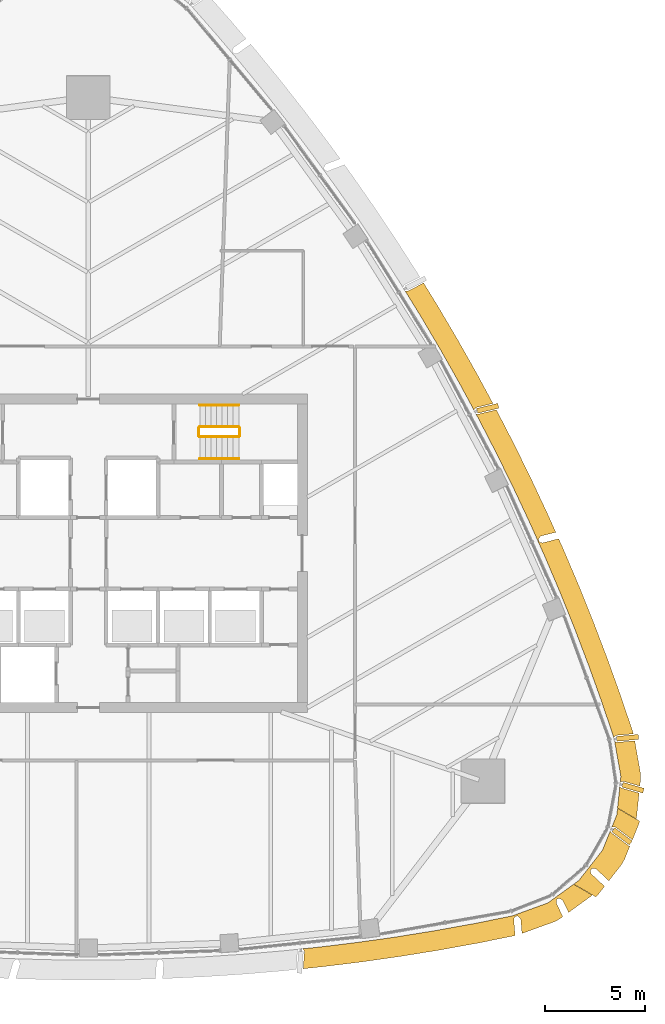
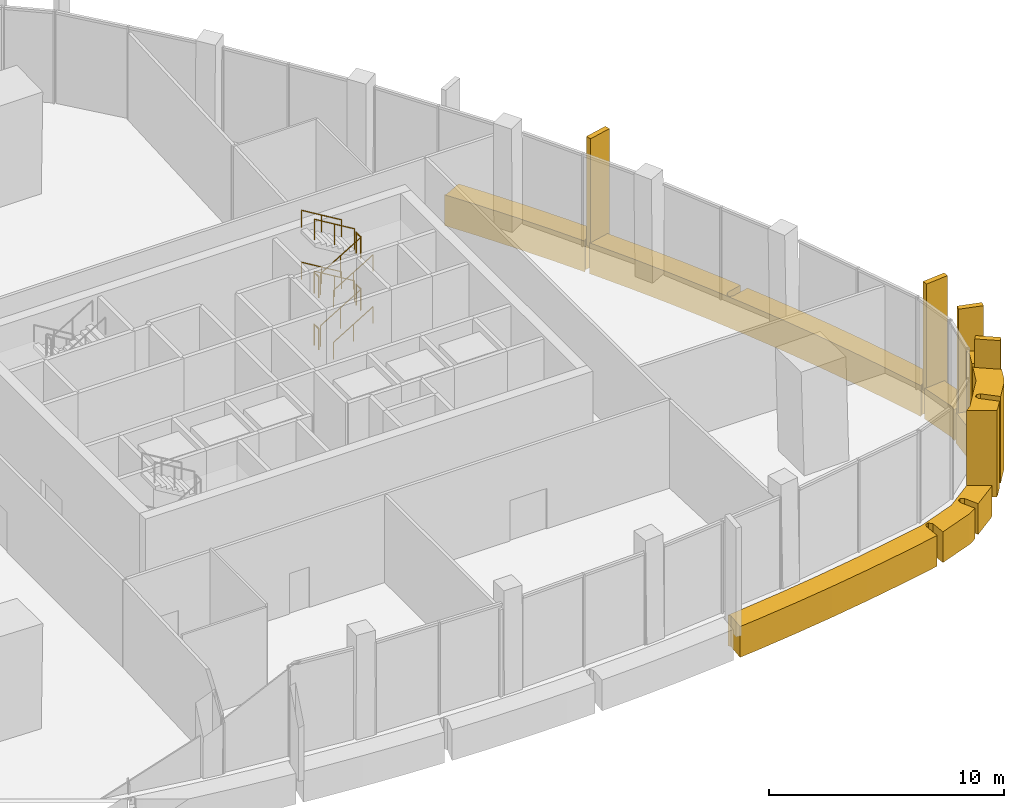
# One storey, part 17 of 19: 12 railings, 11 coverings.
"""IFC4 building model written with IfcOpenShell, lengths in metres."""

from ifc_helpers import new_model, si_unit, direction, frame, origin, origin_2d, place, context, subcontext, project, spatial, polyline, rectangle, circle, outline, extrude, material, layer, layer_set, material_profile, profile_set, type_object, element, save


model = new_model("IFC4")

# Units and contexts
model_context = context("Model", 3, precision=1e-05, world=origin(), true_north=direction((0.0, 1.0)))
body_context = subcontext(model_context, "Body", "Model", "MODEL_VIEW")
ifc_project = project(units=[si_unit("LENGTHUNIT", "METRE"), si_unit("AREAUNIT", "SQUARE_METRE"), si_unit("VOLUMEUNIT", "CUBIC_METRE"), si_unit("PLANEANGLEUNIT", "RADIAN"), si_unit("MASSUNIT", "GRAM", prefix="KILO")], contexts=[model_context])

# Site, building, storey
site_placement = place(None, origin())
site = spatial("IfcSite", under=ifc_project, at=site_placement, CompositionType="ELEMENT")
building_placement = place(site_placement, origin())
building = spatial("IfcBuilding", under=site, at=building_placement, Name="Sierra Prisma Convention Tower", CompositionType="ELEMENT")
storey_placement = place(building_placement, frame((0.0, 0.0, 319.0)))
storey = spatial("IfcBuildingStorey", under=building, at=storey_placement, Name="L73", CompositionType="ELEMENT", Elevation=319.0)

# Coverings
ifc_material_1 = material(Name="Aluminium composite bronze anodised", Category="aluminium")
ifc_layer_1 = layer(ifc_material_1, 1.199951171875)
ifc_layer_set_1 = layer_set([ifc_layer_1], Name="Bronze corner pier")
covering_type_1 = type_object("IfcCoveringType", Name="Bronze corner pier", PredefinedType="CLADDING", material=ifc_layer_set_1)
covering_1_placement = place(storey_placement, frame((0.0, 0.0, -0.60009765625)))
element("IfcCovering", 1, at=covering_1_placement, inside=storey, type_object=covering_type_1, Name="Corner pier SE L73.1", PredefinedType="CLADDING", context=body_context, shape_type="SweptSolid", body=[
    extrude(outline(polyline([(25.30029296875, -15.8369140625), (25.297119140625, -15.84033203125), (25.2939453125, -15.843994140625), (25.232421875, -15.922607421875), (25.2294921875, -15.9267578125), (25.22705078125, -15.930908203125), (25.22509765625, -15.935302734375), (25.223388671875, -15.93994140625), (25.222412109375, -15.944580078125), (25.2216796875, -15.949462890625), (25.2216796875, -15.954345703125), (25.221923828125, -15.959228515625), (25.222900390625, -15.964111328125), (25.22412109375, -15.968505859375), (25.26416015625, -16.094482421875), (25.265869140625, -16.099365234375), (25.26806640625, -16.10400390625), (25.27099609375, -16.1083984375), (25.27392578125, -16.1123046875), (25.277587890625, -16.115966796875), (25.93701171875, -16.731201171875), (25.5908203125, -17.17431640625), (25.499267578125, -17.262451171875), (24.388671875, -16.62109375), (24.6455078125, -16.43505859375), (25.833740234375, -14.9150390625), (26.221923828125, -13.95361328125), (26.257080078125, -14.0166015625), (26.259765625, -14.02099609375), (26.262939453125, -14.025146484375), (26.2666015625, -14.029052734375), (26.2705078125, -14.0322265625), (27.1494140625, -14.694091796875), (27.1533203125, -14.69677734375), (27.15771484375, -14.69921875), (27.162353515625, -14.700927734375), (27.1669921875, -14.702392578125), (27.171875, -14.70361328125), (27.176513671875, -14.7041015625), (27.181396484375, -14.7041015625), (27.186279296875, -14.70361328125), (27.19140625, -14.70263671875), (27.196044921875, -14.701171875), (27.200439453125, -14.699462890625), (27.204833984375, -14.697021484375), (27.208984375, -14.6943359375), (27.212890625, -14.69140625), (27.21630859375, -14.68798828125), (27.219482421875, -14.68408203125), (27.222900390625, -14.679443359375), (26.946533203125, -15.3642578125), (26.779052734375, -15.654296875), (26.1533203125, -16.45458984375), (25.516357421875, -15.860107421875), (25.512451171875, -15.856689453125), (25.50830078125, -15.85400390625), (25.50390625, -15.8515625), (25.499267578125, -15.849609375), (25.494384765625, -15.84814453125), (25.489501953125, -15.84716796875), (25.340576171875, -15.8251953125), (25.335693359375, -15.82470703125), (25.3310546875, -15.82470703125), (25.326171875, -15.8251953125), (25.321533203125, -15.826171875), (25.31689453125, -15.827392578125), (25.3125, -15.8291015625), (25.30810546875, -15.831298828125), (25.30419921875, -15.833984375), (25.30029296875, -15.8369140625)])), origin(), (0.0, 0.0, 1.0), 4.5),
])
covering_2_placement = place(storey_placement, frame((0.0, 0.0, -0.60009765625)))
element("IfcCovering", 2, at=covering_2_placement, inside=storey, type_object=covering_type_1, Name="Corner pier SE L73.2", PredefinedType="CLADDING", context=body_context, shape_type="SweptSolid", body=[
    extrude(outline(polyline([(26.45361328125, -13.74267578125), (26.448486328125, -13.74267578125), (26.303955078125, -13.75), (26.555908203125, -13.1259765625), (26.588623046875, -12.810546875), (27.69921875, -13.451904296875), (27.668701171875, -13.5751953125), (27.3369140625, -14.397216796875), (26.481201171875, -13.752685546875), (26.47705078125, -13.75), (26.47265625, -13.74755859375), (26.468017578125, -13.74560546875), (26.46337890625, -13.744140625), (26.45849609375, -13.7431640625), (26.45361328125, -13.74267578125)])), origin(), (0.0, 0.0, 1.0), 4.5),
])
ifc_material_2 = material(Name="Aluminium 6063-T6 bronze anodised", Category="aluminium")
ifc_material_profile = material_profile(ifc_material_2, rectangle(XDim=1.10009765625, YDim=0.25, at=origin_2d()), Name="ALU FIN 1100x250")
ifc_profile_set = profile_set([ifc_material_profile], Name="Aluminium 6063-T6 bronze anodised")
covering_type_2 = type_object("IfcCoveringType", Name="Bronze facade fin", PredefinedType="CLADDING", material=ifc_profile_set)
for number, where, z_axis, x_axis, name in (
    (3, (26.815185546875, -14.223388671875, -0.300048828125), (0.0, 0.0, 1.0), (0.798845511279, -0.601536240895, 0.0), "Fin L73.21"),
    (4, (27.36181640625, -11.77392578125, -0.300048828125), (0.0, 0.0, 1.0), (0.961549783829, -0.274630685137, 0.0), "Fin L73.22"),
    (5, (27.08935546875, -9.27197265625, -0.300048828125), (0.0, 0.0, 1.0), (0.996041082541, 0.088894104928, 0.0), "Fin L73.23"),
    (6, (20.065185546875, 7.286376953125, -0.300048828125), (0.0, 0.0, 1.0), (0.97285672152, 0.231408295861, 0.0), "Fin L73.30"),
):
    element("IfcCovering", number, at=place(storey_placement, frame(where, z_axis=z_axis, x_axis=x_axis)), inside=storey, type_object=covering_type_2, Name=name, ObjectType="FIN", PredefinedType="CLADDING", context=body_context, shape_type="SweptSolid", body=[
        extrude(rectangle(XDim=1.10009765625, YDim=0.25, at=origin_2d()), origin(), (0.0, 0.0, 1.0), 5.650146484375),
    ])
ifc_material_3 = material(Name="Aluminium composite bronze anodised", Category="aluminium")
ifc_layer_2 = layer(ifc_material_3, 1.0)
ifc_layer_set_2 = layer_set([ifc_layer_2], Name="Bronze spandrel band")
covering_type_3 = type_object("IfcCoveringType", Name="Bronze spandrel band", PredefinedType="CLADDING", material=ifc_layer_set_2)
covering_3_placement = place(storey_placement, frame((0.0, 0.0, -1.60009765625)))
element("IfcCovering", 7, at=covering_3_placement, inside=storey, type_object=covering_type_3, Name="Spandrel band L73.10", PredefinedType="CLADDING", context=body_context, shape_type="SweptSolid", body=[
    extrude(outline(polyline([(19.475830078125, 7.32373046875), (19.4716796875, 7.321044921875), (19.4677734375, 7.31787109375), (19.46435546875, 7.314453125), (19.461181640625, 7.310546875), (19.37451171875, 7.194580078125), (18.656982421875, 8.52294921875), (17.69921875, 10.218505859375), (16.70947265625, 11.89599609375), (15.920654296875, 13.177001953125), (16.0185546875, 13.17236328125), (16.023681640625, 13.17236328125), (16.02880859375, 13.173095703125), (16.03369140625, 13.174072265625), (16.038818359375, 13.175537109375), (16.043212890625, 13.177490234375), (16.8466796875, 13.580322265625), (17.56103515625, 12.420166015625), (17.57080078125, 12.404052734375), (18.560302734375, 10.726806640625), (18.56982421875, 10.71044921875), (19.527587890625, 9.0146484375), (19.53662109375, 8.998291015625), (20.330322265625, 7.529296875), (19.489501953125, 7.329345703125), (19.48486328125, 7.327880859375), (19.480224609375, 7.325927734375), (19.475830078125, 7.32373046875)])), origin(), (0.0, 0.0, 1.0), 1.60009765625),
])
covering_4_placement = place(storey_placement, frame((0.0, 0.0, -1.60009765625)))
element("IfcCovering", 8, at=covering_4_placement, inside=storey, type_object=covering_type_3, Name="Spandrel band L73.11", PredefinedType="CLADDING", context=body_context, shape_type="SweptSolid", body=[
    extrude(outline(polyline([(22.729248046875, 0.86328125), (22.7255859375, 0.860595703125), (22.72216796875, 0.857421875), (22.718994140625, 0.853759765625), (22.619384765625, 0.729248046875), (22.61669921875, 0.72509765625), (22.614013671875, 0.720947265625), (22.612060546875, 0.71630859375), (22.6103515625, 0.711669921875), (22.609375, 0.706787109375), (22.608642578125, 0.701904296875), (22.6083984375, 0.697021484375), (22.60888671875, 0.69189453125), (22.609619140625, 0.68701171875), (22.611083984375, 0.682373046875), (22.61279296875, 0.677490234375), (22.65380859375, 0.586181640625), (22.656005859375, 0.581787109375), (22.65869140625, 0.577392578125), (22.662109375, 0.5732421875), (22.665771484375, 0.569580078125), (22.669677734375, 0.56640625), (22.674072265625, 0.563720703125), (22.6787109375, 0.561279296875), (22.683349609375, 0.559326171875), (22.6884765625, 0.557861328125), (22.80810546875, 0.53125), (22.8125, 0.530517578125), (22.817138671875, 0.530029296875), (22.82177734375, 0.530029296875), (22.826416015625, 0.530517578125), (22.8310546875, 0.531494140625), (23.632080078125, 0.732421875), (23.87060546875, 0.1982421875), (23.878173828125, 0.18115234375), (24.638427734375, -1.61181640625), (24.6455078125, -1.62939453125), (25.3720703125, -3.436279296875), (25.37890625, -3.453857421875), (26.071044921875, -5.27392578125), (26.07763671875, -5.291748046875), (26.7353515625, -7.124755859375), (26.741455078125, -7.142578125), (27.364501953125, -8.987548828125), (27.3857421875, -9.06982421875), (26.52587890625, -9.146484375), (26.52099609375, -9.147216796875), (26.51611328125, -9.1484375), (26.51123046875, -9.150146484375), (26.506591796875, -9.15234375), (26.50244140625, -9.15478515625), (26.498291015625, -9.157958984375), (26.3955078125, -9.243408203125), (25.794189453125, -7.46240234375), (25.13623046875, -5.62939453125), (24.444091796875, -3.80908203125), (23.7177734375, -2.002197265625), (22.95751953125, -0.20947265625), (22.16357421875, 1.56884765625), (21.336181640625, 3.331787109375), (20.4755859375, 5.0791015625), (19.58251953125, 6.8095703125), (19.478759765625, 7.00146484375), (19.5498046875, 6.98828125), (19.55517578125, 6.987548828125), (19.560302734375, 6.987548828125), (19.5654296875, 6.98779296875), (19.570556640625, 6.98876953125), (20.501220703125, 7.210205078125), (21.364501953125, 5.53759765625), (21.372802734375, 5.520751953125), (22.2333984375, 3.773681640625), (22.241455078125, 3.756591796875), (23.06884765625, 1.99365234375), (23.07666015625, 1.9765625), (23.4873046875, 1.056884765625), (22.74609375, 0.87109375), (22.741455078125, 0.86962890625), (22.7373046875, 0.867919921875), (22.733154296875, 0.86572265625), (22.729248046875, 0.86328125)])), origin(), (0.0, 0.0, 1.0), 1.60009765625),
])
covering_5_placement = place(storey_placement, frame((0.0, 0.0, -1.60009765625)))
element("IfcCovering", 9, at=covering_5_placement, inside=storey, type_object=covering_type_3, Name="Spandrel band L73.12", PredefinedType="CLADDING", context=body_context, shape_type="SweptSolid", body=[
    extrude(outline(polyline([(26.755615234375, -11.20703125), (26.442626953125, -9.45068359375), (26.531982421875, -9.490966796875), (26.536865234375, -9.492919921875), (26.541748046875, -9.494140625), (26.546875, -9.4951171875), (26.552001953125, -9.495361328125), (26.556884765625, -9.4951171875), (27.4521484375, -9.415283203125), (27.739990234375, -11.03173828125), (27.750244140625, -11.310546875), (27.71044921875, -11.691650390625), (26.881103515625, -11.45458984375), (26.87646484375, -11.45361328125), (26.871826171875, -11.452880859375), (26.8671875, -11.45263671875), (26.862548828125, -11.452880859375), (26.85791015625, -11.45361328125), (26.853515625, -11.45458984375), (26.84912109375, -11.4560546875), (26.724609375, -11.5048828125), (26.755615234375, -11.20703125)])), origin(), (0.0, 0.0, 1.0), 1.60009765625),
])
covering_6_placement = place(storey_placement, frame((0.0, 0.0, -1.60009765625)))
element("IfcCovering", 10, at=covering_6_placement, inside=storey, type_object=covering_type_3, Name="Spandrel band L73.13", PredefinedType="CLADDING", context=body_context, shape_type="SweptSolid", body=[
    extrude(outline(polyline([(26.768310546875, -11.782958984375), (26.772216796875, -11.785400390625), (26.776123046875, -11.787841796875), (26.780517578125, -11.789794921875), (26.784912109375, -11.791259765625), (27.673583984375, -12.045166015625), (27.550537109375, -13.2294921875), (27.5234375, -13.338623046875), (26.58984375, -12.7998046875), (26.701904296875, -11.72216796875), (26.764892578125, -11.77978515625), (26.768310546875, -11.782958984375)])), origin(), (0.0, 0.0, 1.0), 1.60009765625),
])
covering_7_placement = place(storey_placement, frame((0.0, 0.0, -1.60009765625)))
element("IfcCovering", 11, at=covering_7_placement, inside=storey, type_object=covering_type_3, Name="Spandrel band L73.14", PredefinedType="CLADDING", context=body_context, shape_type="SweptSolid", body=[
    extrude(outline(polyline([(23.8310546875, -17.4296875), (23.828857421875, -17.42578125), (23.826171875, -17.421875), (23.8232421875, -17.418212890625), (23.820068359375, -17.4150390625), (23.81640625, -17.412109375), (23.8125, -17.4091796875), (23.80859375, -17.406982421875), (23.666259765625, -17.335205078125), (23.66162109375, -17.333251953125), (23.656982421875, -17.33154296875), (23.652099609375, -17.33056640625), (23.647216796875, -17.330078125), (23.64208984375, -17.329833984375), (23.63720703125, -17.330322265625), (23.63232421875, -17.3310546875), (23.62744140625, -17.33251953125), (23.622802734375, -17.33447265625), (23.618408203125, -17.336669921875), (23.6142578125, -17.33935546875), (23.533447265625, -17.39794921875), (23.529296875, -17.4013671875), (23.525634765625, -17.40478515625), (23.5224609375, -17.408935546875), (23.51953125, -17.413330078125), (23.51708984375, -17.41796875), (23.515380859375, -17.422607421875), (23.513916015625, -17.427734375), (23.512939453125, -17.4326171875), (23.5126953125, -17.43798828125), (23.51123046875, -17.560302734375), (23.511474609375, -17.56494140625), (23.511962890625, -17.569580078125), (23.512939453125, -17.57421875), (23.514404296875, -17.57861328125), (23.51611328125, -17.5830078125), (23.841796875, -18.252685546875), (23.67041015625, -18.377197265625), (23.423583984375, -18.5078125), (21.786865234375, -19.100341796875), (21.725341796875, -18.382568359375), (21.724853515625, -18.377685546875), (21.7236328125, -18.372802734375), (21.721923828125, -18.3681640625), (21.719970703125, -18.363525390625), (21.71728515625, -18.359375), (21.71435546875, -18.355224609375), (21.711181640625, -18.3515625), (21.5927734375, -18.232421875), (21.58935546875, -18.229248046875), (21.58544921875, -18.226318359375), (21.58154296875, -18.223876953125), (21.5771484375, -18.2216796875), (21.57275390625, -18.22021484375), (21.568115234375, -18.218994140625), (21.563720703125, -18.218017578125), (21.558837890625, -18.2177734375), (21.55419921875, -18.2177734375), (21.54931640625, -18.21826171875), (21.544921875, -18.21923828125), (21.540283203125, -18.220703125), (21.4462890625, -18.254638671875), (21.441650390625, -18.256591796875), (21.437255859375, -18.2587890625), (21.43310546875, -18.26171875), (21.429443359375, -18.264892578125), (21.42578125, -18.268310546875), (21.4228515625, -18.272216796875), (21.420166015625, -18.2763671875), (21.417724609375, -18.28076171875), (21.416015625, -18.285400390625), (21.37939453125, -18.391845703125), (21.377685546875, -18.39697265625), (21.376953125, -18.402099609375), (21.37646484375, -18.4072265625), (21.376708984375, -18.412353515625), (21.44482421875, -19.208984375), (19.556396484375, -19.587646484375), (19.537841796875, -19.591064453125), (17.62158203125, -19.93798828125), (17.60302734375, -19.941162109375), (15.680419921875, -20.251953125), (15.661865234375, -20.254638671875), (13.73388671875, -20.529052734375), (13.715087890625, -20.531494140625), (11.7822265625, -20.76953125), (11.763427734375, -20.771728515625), (10.7958984375, -20.872314453125), (10.856689453125, -20.01171875), (10.85693359375, -20.007080078125), (10.856689453125, -20.002685546875), (10.85595703125, -19.998046875), (10.854736328125, -19.993408203125), (10.85302734375, -19.989013671875), (10.851318359375, -19.98486328125), (10.848876953125, -19.98095703125), (10.775390625, -19.869140625), (11.659912109375, -19.777099609375), (13.593017578125, -19.5390625), (15.52099609375, -19.2646484375), (17.443359375, -18.9541015625), (19.35986328125, -18.607177734375), (21.269287109375, -18.22412109375), (23.083251953125, -17.5673828125), (24.3798828125, -16.627685546875), (25.3134765625, -17.16650390625), (25.232421875, -17.24462890625), (24.129638671875, -18.044189453125), (23.8310546875, -17.4296875)])), origin(), (0.0, 0.0, 1.0), 1.60009765625),
])

# Railings
ifc_material_4 = material(Name="Stainless steel", Category="steel")
railing_type_1 = type_object("IfcRailingType", Name="Exit stair handrail", PredefinedType="HANDRAIL", material=ifc_material_4)
railing_1_placement = place(storey_placement, frame((5.60009765625, 4.75, 0.168701171875)))
element("IfcRailing", 12, at=railing_1_placement, inside=storey, type_object=railing_type_1, Name="L73 S4 stair handrail 1", PredefinedType="HANDRAIL", context=body_context, shape_type="SweptSolid", body=[
    extrude(circle(Radius=0.02392578125, at=origin_2d()), frame((0.0, 0.0, 0.8759765625), z_axis=(0.856446297458, 0.0, 0.516236127728), x_axis=(0.0, 1.0, 0.0)), (0.0, 0.0, 1.0), 2.28857421875),
    extrude(circle(Radius=0.02099609375, at=origin_2d()), origin(), (0.0, 0.0, 1.0), 0.851806640625),
    extrude(circle(Radius=0.02099609375, at=origin_2d()), frame((0.97998046875, 0.0, 0.5908203125)), (0.0, 0.0, 1.0), 0.851806640625),
    extrude(circle(Radius=0.02099609375, at=origin_2d()), frame((1.9599609375, 0.0, 1.181396484375)), (0.0, 0.0, 1.0), 0.851806640625),
])
railing_2_placement = place(storey_placement, frame((7.56005859375, 7.449951171875, 1.518798828125)))
element("IfcRailing", 13, at=railing_2_placement, inside=storey, type_object=railing_type_1, Name="L73 S4 stair handrail 2", PredefinedType="HANDRAIL", context=body_context, shape_type="SweptSolid", body=[
    extrude(circle(Radius=0.02392578125, at=origin_2d()), frame((0.0, 0.0, 0.8759765625), z_axis=(-0.856493463811, 0.0, 0.516157869696), x_axis=(0.0, -1.0, 0.0)), (0.0, 0.0, 1.0), 2.288330078125),
    extrude(circle(Radius=0.02099609375, at=origin_2d()), origin(), (0.0, 0.0, 1.0), 0.851806640625),
    extrude(circle(Radius=0.02099609375, at=origin_2d()), frame((-0.97998046875, 0.0, 0.590576171875)), (0.0, 0.0, 1.0), 0.851806640625),
    extrude(circle(Radius=0.02099609375, at=origin_2d()), frame((-1.9599609375, 0.0, 1.18115234375)), (0.0, 0.0, 1.0), 0.851806640625),
])
railing_3_placement = place(storey_placement, frame((5.60009765625, 4.75, 2.86865234375)))
element("IfcRailing", 14, at=railing_3_placement, inside=storey, type_object=railing_type_1, Name="L73 S4 stair handrail 3", PredefinedType="HANDRAIL", context=body_context, shape_type="SweptSolid", body=[
    extrude(circle(Radius=0.02392578125, at=origin_2d()), frame((0.0, 0.0, 0.8759765625), z_axis=(0.856446297458, 0.0, 0.516236127728), x_axis=(0.0, 1.0, 0.0)), (0.0, 0.0, 1.0), 2.28857421875),
    extrude(circle(Radius=0.02099609375, at=origin_2d()), origin(), (0.0, 0.0, 1.0), 0.851806640625),
    extrude(circle(Radius=0.02099609375, at=origin_2d()), frame((0.97998046875, 0.0, 0.5908203125)), (0.0, 0.0, 1.0), 0.851806640625),
    extrude(circle(Radius=0.02099609375, at=origin_2d()), frame((1.9599609375, 0.0, 1.181396484375)), (0.0, 0.0, 1.0), 0.851806640625),
])
railing_4_placement = place(storey_placement, frame((7.56005859375, 7.449951171875, 4.21875)))
element("IfcRailing", 15, at=railing_4_placement, inside=storey, type_object=railing_type_1, Name="L73 S4 stair handrail 4", PredefinedType="HANDRAIL", context=body_context, shape_type="SweptSolid", body=[
    extrude(circle(Radius=0.02392578125, at=origin_2d()), frame((0.0, 0.0, 0.8759765625), z_axis=(-0.856493463811, 0.0, 0.516157869696), x_axis=(0.0, -1.0, 0.0)), (0.0, 0.0, 1.0), 2.288330078125),
    extrude(circle(Radius=0.02099609375, at=origin_2d()), origin(), (0.0, 0.0, 1.0), 0.851806640625),
    extrude(circle(Radius=0.02099609375, at=origin_2d()), frame((-0.97998046875, 0.0, 0.590576171875)), (0.0, 0.0, 1.0), 0.851806640625),
    extrude(circle(Radius=0.02099609375, at=origin_2d()), frame((-1.9599609375, 0.0, 1.18115234375)), (0.0, 0.0, 1.0), 0.851806640625),
])
ifc_material_5 = material(Name="Stainless steel", Category="steel")
railing_type_2 = type_object("IfcRailingType", Name="Stair guard 1100", PredefinedType="GUARDRAIL", material=ifc_material_5)
railing_5_placement = place(storey_placement, frame((5.60009765625, 5.85009765625, 0.168701171875)))
element("IfcRailing", 16, at=railing_5_placement, inside=storey, type_object=railing_type_2, Name="L73 S4 stair guard 1", PredefinedType="GUARDRAIL", context=body_context, shape_type="SweptSolid", body=[
    extrude(circle(Radius=0.02392578125, at=origin_2d()), frame((0.0, 0.0, 1.076171875), z_axis=(0.856446297458, 0.0, 0.516236127728), x_axis=(0.0, 1.0, 0.0)), (0.0, 0.0, 1.0), 2.28857421875),
    extrude(circle(Radius=0.02099609375, at=origin_2d()), origin(), (0.0, 0.0, 1.0), 1.052001953125),
    extrude(circle(Radius=0.02099609375, at=origin_2d()), frame((0.97998046875, 0.0, 0.5908203125)), (0.0, 0.0, 1.0), 1.052001953125),
    extrude(circle(Radius=0.02099609375, at=origin_2d()), frame((1.9599609375, 0.0, 1.181396484375)), (0.0, 0.0, 1.0), 1.052001953125),
])
railing_6_placement = place(storey_placement, frame((7.610107421875, 5.89990234375, 1.35009765625)))
element("IfcRailing", 17, at=railing_6_placement, inside=storey, type_object=railing_type_2, Name="L73 S4 stair guard 2", PredefinedType="GUARDRAIL", context=body_context, shape_type="SweptSolid", body=[
    extrude(circle(Radius=0.02392578125, at=origin_2d()), frame((0.0, 0.0, 1.076171875), z_axis=(0.0, 1.0, 0.0), x_axis=(-1.0, 0.0, 0.0)), (0.0, 0.0, 1.0), 0.400146484375),
    extrude(circle(Radius=0.02099609375, at=origin_2d()), origin(), (0.0, 0.0, 1.0), 1.052001953125),
    extrude(circle(Radius=0.02099609375, at=origin_2d()), frame((0.0, 0.400146484375, 0.0)), (0.0, 0.0, 1.0), 1.052001953125),
])
railing_7_placement = place(storey_placement, frame((7.56005859375, 6.35009765625, 1.518798828125)))
element("IfcRailing", 18, at=railing_7_placement, inside=storey, type_object=railing_type_2, Name="L73 S4 stair guard 3", PredefinedType="GUARDRAIL", context=body_context, shape_type="SweptSolid", body=[
    extrude(circle(Radius=0.02392578125, at=origin_2d()), frame((0.0, 0.0, 1.076171875), z_axis=(-0.856493463811, 0.0, 0.516157869696), x_axis=(0.0, -1.0, 0.0)), (0.0, 0.0, 1.0), 2.288330078125),
    extrude(circle(Radius=0.02099609375, at=origin_2d()), origin(), (0.0, 0.0, 1.0), 1.052001953125),
    extrude(circle(Radius=0.02099609375, at=origin_2d()), frame((-0.97998046875, 0.0, 0.590576171875)), (0.0, 0.0, 1.0), 1.052001953125),
    extrude(circle(Radius=0.02099609375, at=origin_2d()), frame((-1.9599609375, 0.0, 1.18115234375)), (0.0, 0.0, 1.0), 1.052001953125),
])
railing_8_placement = place(storey_placement, frame((5.550048828125, 5.89990234375, 2.699951171875)))
element("IfcRailing", 19, at=railing_8_placement, inside=storey, type_object=railing_type_2, Name="L73 S4 stair guard 4", PredefinedType="GUARDRAIL", context=body_context, shape_type="SweptSolid", body=[
    extrude(circle(Radius=0.02392578125, at=origin_2d()), frame((0.0, 0.0, 1.076171875), z_axis=(0.0, 1.0, 0.0), x_axis=(-1.0, 0.0, 0.0)), (0.0, 0.0, 1.0), 0.400146484375),
    extrude(circle(Radius=0.02099609375, at=origin_2d()), origin(), (0.0, 0.0, 1.0), 1.052001953125),
    extrude(circle(Radius=0.02099609375, at=origin_2d()), frame((0.0, 0.400146484375, 0.0)), (0.0, 0.0, 1.0), 1.052001953125),
])
railing_9_placement = place(storey_placement, frame((5.60009765625, 5.85009765625, 2.86865234375)))
element("IfcRailing", 20, at=railing_9_placement, inside=storey, type_object=railing_type_2, Name="L73 S4 stair guard 5", PredefinedType="GUARDRAIL", context=body_context, shape_type="SweptSolid", body=[
    extrude(circle(Radius=0.02392578125, at=origin_2d()), frame((0.0, 0.0, 1.076171875), z_axis=(0.856446297458, 0.0, 0.516236127728), x_axis=(0.0, 1.0, 0.0)), (0.0, 0.0, 1.0), 2.28857421875),
    extrude(circle(Radius=0.02099609375, at=origin_2d()), origin(), (0.0, 0.0, 1.0), 1.052001953125),
    extrude(circle(Radius=0.02099609375, at=origin_2d()), frame((0.97998046875, 0.0, 0.5908203125)), (0.0, 0.0, 1.0), 1.052001953125),
    extrude(circle(Radius=0.02099609375, at=origin_2d()), frame((1.9599609375, 0.0, 1.181396484375)), (0.0, 0.0, 1.0), 1.052001953125),
])
railing_10_placement = place(storey_placement, frame((7.610107421875, 5.89990234375, 4.050048828125)))
element("IfcRailing", 21, at=railing_10_placement, inside=storey, type_object=railing_type_2, Name="L73 S4 stair guard 6", PredefinedType="GUARDRAIL", context=body_context, shape_type="SweptSolid", body=[
    extrude(circle(Radius=0.02392578125, at=origin_2d()), frame((0.0, 0.0, 1.076171875), z_axis=(0.0, 1.0, 0.0), x_axis=(-1.0, 0.0, 0.0)), (0.0, 0.0, 1.0), 0.400146484375),
    extrude(circle(Radius=0.02099609375, at=origin_2d()), origin(), (0.0, 0.0, 1.0), 1.052001953125),
    extrude(circle(Radius=0.02099609375, at=origin_2d()), frame((0.0, 0.400146484375, 0.0)), (0.0, 0.0, 1.0), 1.052001953125),
])
railing_11_placement = place(storey_placement, frame((7.56005859375, 6.35009765625, 4.21875)))
element("IfcRailing", 22, at=railing_11_placement, inside=storey, type_object=railing_type_2, Name="L73 S4 stair guard 7", PredefinedType="GUARDRAIL", context=body_context, shape_type="SweptSolid", body=[
    extrude(circle(Radius=0.02392578125, at=origin_2d()), frame((0.0, 0.0, 1.076171875), z_axis=(-0.856493463811, 0.0, 0.516157869696), x_axis=(0.0, -1.0, 0.0)), (0.0, 0.0, 1.0), 2.288330078125),
    extrude(circle(Radius=0.02099609375, at=origin_2d()), origin(), (0.0, 0.0, 1.0), 1.052001953125),
    extrude(circle(Radius=0.02099609375, at=origin_2d()), frame((-0.97998046875, 0.0, 0.590576171875)), (0.0, 0.0, 1.0), 1.052001953125),
    extrude(circle(Radius=0.02099609375, at=origin_2d()), frame((-1.9599609375, 0.0, 1.18115234375)), (0.0, 0.0, 1.0), 1.052001953125),
])
railing_12_placement = place(storey_placement, frame((5.550048828125, 5.89990234375, 0.0)))
element("IfcRailing", 23, at=railing_12_placement, inside=storey, type_object=railing_type_2, Name="L73 S4 stair guard 8", PredefinedType="GUARDRAIL", context=body_context, shape_type="SweptSolid", body=[
    extrude(circle(Radius=0.02392578125, at=origin_2d()), frame((0.0, 0.0, 1.076171875), z_axis=(0.0, 1.0, 0.0), x_axis=(-1.0, 0.0, 0.0)), (0.0, 0.0, 1.0), 0.400146484375),
    extrude(circle(Radius=0.02099609375, at=origin_2d()), origin(), (0.0, 0.0, 1.0), 1.052001953125),
    extrude(circle(Radius=0.02099609375, at=origin_2d()), frame((0.0, 0.400146484375, 0.0)), (0.0, 0.0, 1.0), 1.052001953125),
])

save(model, "model.ifc")
